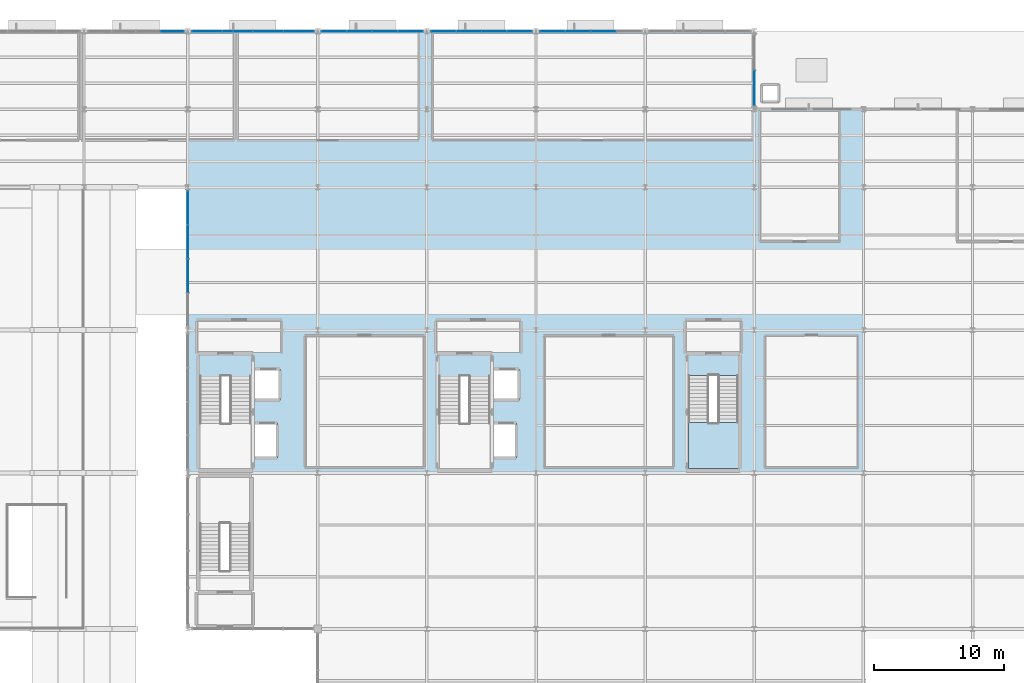
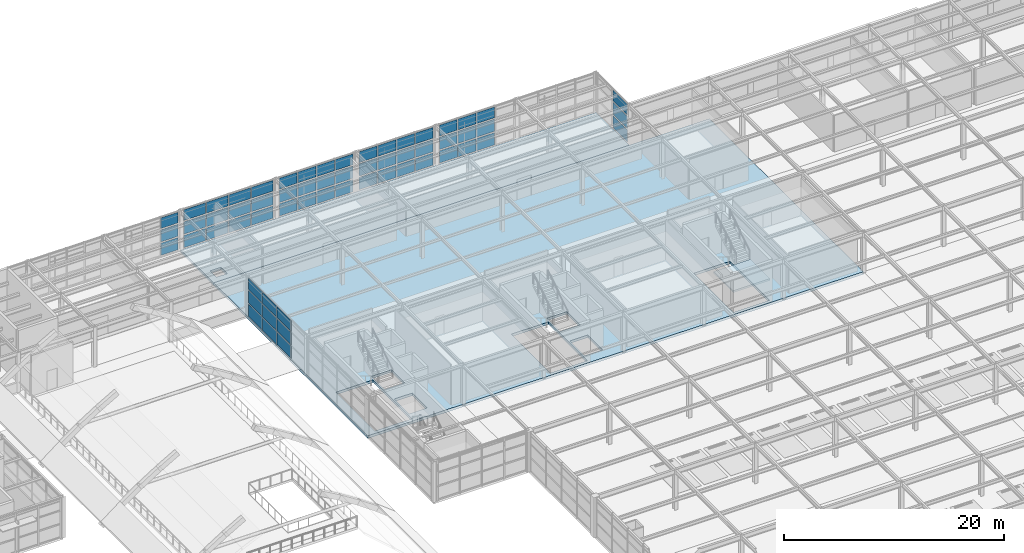
# One storey, part 51 of 82: 60 plates, 3 slabs, 8 elements without a shape of their own.
"""IFC4 building model written with IfcOpenShell, lengths in metres."""

from ifc_helpers import new_model, si_unit, direction, frame, origin, origin_2d, place, context, subcontext, project, spatial, polyline, rectangle, outline, extrude, material, layer, layer_set, type_object, element, aggregate, save


model = new_model("IFC4")

# Units and contexts
model_context = context("Model", 3, precision=1e-05, world=origin(), true_north=direction((0.0, 1.0)))
body_context = subcontext(model_context, "Body", "Model", "MODEL_VIEW")
ifc_project = project(units=[si_unit("LENGTHUNIT", "METRE"), si_unit("AREAUNIT", "SQUARE_METRE"), si_unit("VOLUMEUNIT", "CUBIC_METRE"), si_unit("PLANEANGLEUNIT", "RADIAN"), si_unit("MASSUNIT", "GRAM", prefix="KILO")], contexts=[model_context])

# Site, building, storey
site_placement = place(None, origin())
site = spatial("IfcSite", under=ifc_project, at=site_placement, CompositionType="ELEMENT")
building_placement = place(site_placement, origin())
building = spatial("IfcBuilding", under=site, at=building_placement, Name="Sitalva Quay Ferry Terminal", CompositionType="ELEMENT")
storey_placement = place(building_placement, frame((0.0, 0.0, 5.39990234375)))
storey = spatial("IfcBuildingStorey", under=building, at=storey_placement, Name="L02", CompositionType="ELEMENT", Elevation=5.39990234375)

# Curtain wall, plates
ifc_material_1 = material(Name="Anodised Aluminium & Low-E Glazing", Category="aluminium")
ifc_layer_1 = layer(ifc_material_1, 0.159912109375)
ifc_layer_set_1 = layer_set([ifc_layer_1], Name="Anodised Aluminium & Low-E Glazing")
curtain_wall_type = type_object("IfcCurtainWallType", Name="CW_Office_Unitised", PredefinedType="USERDEFINED", material=ifc_layer_set_1)
curtain_wall_1_placement = place(storey_placement, origin())
curtain_wall_1 = element("IfcCurtainWall", 1, at=curtain_wall_1_placement, inside=storey, type_object=curtain_wall_type, Name="L02 east wing west glazing overlooking V1 (CW-L02-112)", ObjectType="CURTAIN_WALL", PredefinedType="USERDEFINED")
ifc_material_2 = material(Name="Solar-Control Low-E Glazing", Category="glass")
ifc_layer_2 = layer(ifc_material_2, 0.031982421875)
ifc_layer_set_2 = layer_set([ifc_layer_2], Name="Solar-Control Low-E Glazing")
plate_type_1 = type_object("IfcPlateType", Name="Panel_Solar_IGU_32", PredefinedType="CURTAIN_PANEL", material=ifc_layer_set_2)
plate_1_placement = place(storey_placement, frame((74.0, 93.195068359375, 0.150146484375), z_axis=(0.0, 0.0, 1.0), x_axis=(0.0, 1.0, 0.0)))
plate_1 = element("IfcPlate", 2, at=plate_1_placement, type_object=plate_type_1, Name="CW-L02-112-P1-0", PredefinedType="CURTAIN_PANEL", context=body_context, shape_type="SweptSolid", body=[
    extrude(rectangle(XDim=2.534912109375, YDim=0.031982421875, at=origin_2d()), origin(), (0.0, 0.0, 1.0), 1.35009765625),
])
plate_2_placement = place(storey_placement, frame((74.0, 93.195068359375, 1.650146484375), z_axis=(0.0, 0.0, 1.0), x_axis=(0.0, 1.0, 0.0)))
plate_2 = element("IfcPlate", 3, at=plate_2_placement, type_object=plate_type_1, Name="CW-L02-112-P1-1", PredefinedType="CURTAIN_PANEL", context=body_context, shape_type="SweptSolid", body=[
    extrude(rectangle(XDim=2.534912109375, YDim=0.031982421875, at=origin_2d()), origin(), (0.0, 0.0, 1.0), 1.35009765625),
])
plate_3_placement = place(storey_placement, frame((74.0, 93.195068359375, 3.14990234375), z_axis=(0.0, 0.0, 1.0), x_axis=(0.0, 1.0, 0.0)))
plate_3 = element("IfcPlate", 4, at=plate_3_placement, type_object=plate_type_1, Name="CW-L02-112-P1-2", PredefinedType="CURTAIN_PANEL", context=body_context, shape_type="SweptSolid", body=[
    extrude(rectangle(XDim=2.534912109375, YDim=0.031982421875, at=origin_2d()), origin(), (0.0, 0.0, 1.0), 1.199951171875),
])
plate_4_placement = place(storey_placement, frame((74.0, 95.804931640625, 0.150146484375), z_axis=(0.0, 0.0, 1.0), x_axis=(0.0, 1.0, 0.0)))
plate_4 = element("IfcPlate", 5, at=plate_4_placement, type_object=plate_type_1, Name="CW-L02-112-P2-0", PredefinedType="CURTAIN_PANEL", context=body_context, shape_type="SweptSolid", body=[
    extrude(rectangle(XDim=2.534912109375, YDim=0.031982421875, at=origin_2d()), origin(), (0.0, 0.0, 1.0), 1.35009765625),
])
plate_5_placement = place(storey_placement, frame((74.0, 95.804931640625, 1.650146484375), z_axis=(0.0, 0.0, 1.0), x_axis=(0.0, 1.0, 0.0)))
plate_5 = element("IfcPlate", 6, at=plate_5_placement, type_object=plate_type_1, Name="CW-L02-112-P2-1", PredefinedType="CURTAIN_PANEL", context=body_context, shape_type="SweptSolid", body=[
    extrude(rectangle(XDim=2.534912109375, YDim=0.031982421875, at=origin_2d()), origin(), (0.0, 0.0, 1.0), 1.35009765625),
])
plate_6_placement = place(storey_placement, frame((74.0, 95.804931640625, 3.14990234375), z_axis=(0.0, 0.0, 1.0), x_axis=(0.0, 1.0, 0.0)))
plate_6 = element("IfcPlate", 7, at=plate_6_placement, type_object=plate_type_1, Name="CW-L02-112-P2-2", PredefinedType="CURTAIN_PANEL", context=body_context, shape_type="SweptSolid", body=[
    extrude(rectangle(XDim=2.534912109375, YDim=0.031982421875, at=origin_2d()), origin(), (0.0, 0.0, 1.0), 1.199951171875),
])
plate_7_placement = place(storey_placement, frame((74.0, 98.4150390625, 0.150146484375), z_axis=(0.0, 0.0, 1.0), x_axis=(0.0, 1.0, 0.0)))
plate_7 = element("IfcPlate", 8, at=plate_7_placement, type_object=plate_type_1, Name="CW-L02-112-P3-0", PredefinedType="CURTAIN_PANEL", context=body_context, shape_type="SweptSolid", body=[
    extrude(rectangle(XDim=2.534912109375, YDim=0.031982421875, at=origin_2d()), origin(), (0.0, 0.0, 1.0), 1.35009765625),
])
plate_8_placement = place(storey_placement, frame((74.0, 98.4150390625, 1.650146484375), z_axis=(0.0, 0.0, 1.0), x_axis=(0.0, 1.0, 0.0)))
plate_8 = element("IfcPlate", 9, at=plate_8_placement, type_object=plate_type_1, Name="CW-L02-112-P3-1", PredefinedType="CURTAIN_PANEL", context=body_context, shape_type="SweptSolid", body=[
    extrude(rectangle(XDim=2.534912109375, YDim=0.031982421875, at=origin_2d()), origin(), (0.0, 0.0, 1.0), 1.35009765625),
])
plate_9_placement = place(storey_placement, frame((74.0, 98.4150390625, 3.14990234375), z_axis=(0.0, 0.0, 1.0), x_axis=(0.0, 1.0, 0.0)))
plate_9 = element("IfcPlate", 10, at=plate_9_placement, type_object=plate_type_1, Name="CW-L02-112-P3-2", PredefinedType="CURTAIN_PANEL", context=body_context, shape_type="SweptSolid", body=[
    extrude(rectangle(XDim=2.534912109375, YDim=0.031982421875, at=origin_2d()), origin(), (0.0, 0.0, 1.0), 1.199951171875),
])
aggregate(curtain_wall_1, [plate_1, plate_2, plate_3, plate_4, plate_5, plate_6, plate_7, plate_8, plate_9])

curtain_wall_2_placement = place(storey_placement, origin())
curtain_wall_2 = element("IfcCurtainWall", 11, at=curtain_wall_2_placement, inside=storey, type_object=curtain_wall_type, Name="L02 forecourt east return glazing (CW-L02-114)", ObjectType="CURTAIN_WALL", PredefinedType="USERDEFINED")
plate_10_placement = place(storey_placement, frame((117.60009765625, 107.639892578125, 0.150146484375), z_axis=(0.0, 0.0, 1.0), x_axis=(0.0, 1.0, 0.0)))
plate_10 = element("IfcPlate", 12, at=plate_10_placement, type_object=plate_type_1, Name="CW-L02-114-P0-0", PredefinedType="CURTAIN_PANEL", context=body_context, shape_type="SweptSolid", body=[
    extrude(rectangle(XDim=2.64501953125, YDim=0.031982421875, at=origin_2d()), origin(), (0.0, 0.0, 1.0), 1.35009765625),
])
plate_11_placement = place(storey_placement, frame((117.60009765625, 107.639892578125, 1.650146484375), z_axis=(0.0, 0.0, 1.0), x_axis=(0.0, 1.0, 0.0)))
plate_11 = element("IfcPlate", 13, at=plate_11_placement, type_object=plate_type_1, Name="CW-L02-114-P0-1", PredefinedType="CURTAIN_PANEL", context=body_context, shape_type="SweptSolid", body=[
    extrude(rectangle(XDim=2.64501953125, YDim=0.031982421875, at=origin_2d()), origin(), (0.0, 0.0, 1.0), 1.35009765625),
])
plate_12_placement = place(storey_placement, frame((117.60009765625, 107.639892578125, 3.14990234375), z_axis=(0.0, 0.0, 1.0), x_axis=(0.0, 1.0, 0.0)))
plate_12 = element("IfcPlate", 14, at=plate_12_placement, type_object=plate_type_1, Name="CW-L02-114-P0-2", PredefinedType="CURTAIN_PANEL", context=body_context, shape_type="SweptSolid", body=[
    extrude(rectangle(XDim=2.64501953125, YDim=0.031982421875, at=origin_2d()), origin(), (0.0, 0.0, 1.0), 1.199951171875),
])
aggregate(curtain_wall_2, [plate_10, plate_11, plate_12])

curtain_wall_3_placement = place(storey_placement, origin())
curtain_wall_3 = element("IfcCurtainWall", 15, at=curtain_wall_3_placement, inside=storey, type_object=curtain_wall_type, Name="L02 forecourt horizontal curtain wall (CW-L02-118)", ObjectType="CURTAIN_WALL", PredefinedType="USERDEFINED")
plate_13_placement = place(storey_placement, frame((72.7900390625, 112.0, 1.63330078125), z_axis=(0.0, 0.0, 1.0), x_axis=(1.0, 0.0, 0.0)))
plate_13 = element("IfcPlate", 16, at=plate_13_placement, type_object=plate_type_1, Name="CW-L02-118-P3-1", PredefinedType="CURTAIN_PANEL", context=body_context, shape_type="SweptSolid", body=[
    extrude(rectangle(XDim=1.784912109375, YDim=0.031982421875, at=origin_2d()), origin(), (0.0, 0.0, 1.0), 1.333251953125),
])
plate_14_placement = place(storey_placement, frame((72.7900390625, 112.0, 3.11669921875), z_axis=(0.0, 0.0, 1.0), x_axis=(1.0, 0.0, 0.0)))
plate_14 = element("IfcPlate", 17, at=plate_14_placement, type_object=plate_type_1, Name="CW-L02-118-P3-2", PredefinedType="CURTAIN_PANEL", context=body_context, shape_type="SweptSolid", body=[
    extrude(rectangle(XDim=1.784912109375, YDim=0.031982421875, at=origin_2d()), origin(), (0.0, 0.0, 1.0), 1.183349609375),
])

curtain_wall_4_placement = place(storey_placement, origin())
curtain_wall_4 = element("IfcCurtainWall", 18, at=curtain_wall_4_placement, inside=storey, type_object=curtain_wall_type, Name="L02 forecourt horizontal curtain wall (CW-L02-119)", ObjectType="CURTAIN_WALL", PredefinedType="USERDEFINED")
plate_15_placement = place(storey_placement, frame((75.4599609375, 112.0, 1.650146484375), z_axis=(0.0, 0.0, 1.0), x_axis=(1.0, 0.0, 0.0)))
plate_15 = element("IfcPlate", 19, at=plate_15_placement, type_object=plate_type_1, Name="CW-L02-119-P0-1", PredefinedType="CURTAIN_PANEL", context=body_context, shape_type="SweptSolid", body=[
    extrude(rectangle(XDim=2.284912109375, YDim=0.031982421875, at=origin_2d()), origin(), (0.0, 0.0, 1.0), 1.35009765625),
])
plate_16_placement = place(storey_placement, frame((75.4599609375, 112.0, 3.14990234375), z_axis=(0.0, 0.0, 1.0), x_axis=(1.0, 0.0, 0.0)))
plate_16 = element("IfcPlate", 20, at=plate_16_placement, type_object=plate_type_1, Name="CW-L02-119-P0-2", PredefinedType="CURTAIN_PANEL", context=body_context, shape_type="SweptSolid", body=[
    extrude(rectangle(XDim=2.284912109375, YDim=0.031982421875, at=origin_2d()), origin(), (0.0, 0.0, 1.0), 1.199951171875),
])
plate_17_placement = place(storey_placement, frame((77.820068359375, 112.0, 1.650146484375), z_axis=(0.0, 0.0, 1.0), x_axis=(1.0, 0.0, 0.0)))
plate_17 = element("IfcPlate", 21, at=plate_17_placement, type_object=plate_type_1, Name="CW-L02-119-P1-1", PredefinedType="CURTAIN_PANEL", context=body_context, shape_type="SweptSolid", body=[
    extrude(rectangle(XDim=2.284912109375, YDim=0.031982421875, at=origin_2d()), origin(), (0.0, 0.0, 1.0), 1.35009765625),
])
plate_18_placement = place(storey_placement, frame((77.820068359375, 112.0, 3.14990234375), z_axis=(0.0, 0.0, 1.0), x_axis=(1.0, 0.0, 0.0)))
plate_18 = element("IfcPlate", 22, at=plate_18_placement, type_object=plate_type_1, Name="CW-L02-119-P1-2", PredefinedType="CURTAIN_PANEL", context=body_context, shape_type="SweptSolid", body=[
    extrude(rectangle(XDim=2.284912109375, YDim=0.031982421875, at=origin_2d()), origin(), (0.0, 0.0, 1.0), 1.199951171875),
])
plate_19_placement = place(storey_placement, frame((80.179931640625, 112.0, 1.650146484375), z_axis=(0.0, 0.0, 1.0), x_axis=(1.0, 0.0, 0.0)))
plate_19 = element("IfcPlate", 23, at=plate_19_placement, type_object=plate_type_1, Name="CW-L02-119-P2-1", PredefinedType="CURTAIN_PANEL", context=body_context, shape_type="SweptSolid", body=[
    extrude(rectangle(XDim=2.284912109375, YDim=0.031982421875, at=origin_2d()), origin(), (0.0, 0.0, 1.0), 1.35009765625),
])
plate_20_placement = place(storey_placement, frame((80.179931640625, 112.0, 3.14990234375), z_axis=(0.0, 0.0, 1.0), x_axis=(1.0, 0.0, 0.0)))
plate_20 = element("IfcPlate", 24, at=plate_20_placement, type_object=plate_type_1, Name="CW-L02-119-P2-2", PredefinedType="CURTAIN_PANEL", context=body_context, shape_type="SweptSolid", body=[
    extrude(rectangle(XDim=2.284912109375, YDim=0.031982421875, at=origin_2d()), origin(), (0.0, 0.0, 1.0), 1.199951171875),
])
plate_21_placement = place(storey_placement, frame((82.5400390625, 112.0, 1.650146484375), z_axis=(0.0, 0.0, 1.0), x_axis=(1.0, 0.0, 0.0)))
plate_21 = element("IfcPlate", 25, at=plate_21_placement, type_object=plate_type_1, Name="CW-L02-119-P3-1", PredefinedType="CURTAIN_PANEL", context=body_context, shape_type="SweptSolid", body=[
    extrude(rectangle(XDim=2.284912109375, YDim=0.031982421875, at=origin_2d()), origin(), (0.0, 0.0, 1.0), 1.35009765625),
])
plate_22_placement = place(storey_placement, frame((82.5400390625, 112.0, 3.14990234375), z_axis=(0.0, 0.0, 1.0), x_axis=(1.0, 0.0, 0.0)))
plate_22 = element("IfcPlate", 26, at=plate_22_placement, type_object=plate_type_1, Name="CW-L02-119-P3-2", PredefinedType="CURTAIN_PANEL", context=body_context, shape_type="SweptSolid", body=[
    extrude(rectangle(XDim=2.284912109375, YDim=0.031982421875, at=origin_2d()), origin(), (0.0, 0.0, 1.0), 1.199951171875),
])

curtain_wall_5_placement = place(storey_placement, origin())
curtain_wall_5 = element("IfcCurtainWall", 27, at=curtain_wall_5_placement, inside=storey, type_object=curtain_wall_type, Name="L02 forecourt horizontal curtain wall (CW-L02-120)", ObjectType="CURTAIN_WALL", PredefinedType="USERDEFINED")
plate_23_placement = place(storey_placement, frame((85.260009765625, 112.0, 1.650146484375), z_axis=(0.0, 0.0, 1.0), x_axis=(1.0, 0.0, 0.0)))
plate_23 = element("IfcPlate", 28, at=plate_23_placement, type_object=plate_type_1, Name="CW-L02-120-P0-1", PredefinedType="CURTAIN_PANEL", context=body_context, shape_type="SweptSolid", body=[
    extrude(rectangle(XDim=1.885009765625, YDim=0.031982421875, at=origin_2d()), origin(), (0.0, 0.0, 1.0), 1.35009765625),
])
plate_24_placement = place(storey_placement, frame((85.260009765625, 112.0, 3.14990234375), z_axis=(0.0, 0.0, 1.0), x_axis=(1.0, 0.0, 0.0)))
plate_24 = element("IfcPlate", 29, at=plate_24_placement, type_object=plate_type_1, Name="CW-L02-120-P0-2", PredefinedType="CURTAIN_PANEL", context=body_context, shape_type="SweptSolid", body=[
    extrude(rectangle(XDim=1.885009765625, YDim=0.031982421875, at=origin_2d()), origin(), (0.0, 0.0, 1.0), 1.199951171875),
])
plate_25_placement = place(storey_placement, frame((87.219970703125, 112.0, 1.650146484375), z_axis=(0.0, 0.0, 1.0), x_axis=(1.0, 0.0, 0.0)))
plate_25 = element("IfcPlate", 30, at=plate_25_placement, type_object=plate_type_1, Name="CW-L02-120-P1-1", PredefinedType="CURTAIN_PANEL", context=body_context, shape_type="SweptSolid", body=[
    extrude(rectangle(XDim=1.885009765625, YDim=0.031982421875, at=origin_2d()), origin(), (0.0, 0.0, 1.0), 1.35009765625),
])
plate_26_placement = place(storey_placement, frame((87.219970703125, 112.0, 3.14990234375), z_axis=(0.0, 0.0, 1.0), x_axis=(1.0, 0.0, 0.0)))
plate_26 = element("IfcPlate", 31, at=plate_26_placement, type_object=plate_type_1, Name="CW-L02-120-P1-2", PredefinedType="CURTAIN_PANEL", context=body_context, shape_type="SweptSolid", body=[
    extrude(rectangle(XDim=1.885009765625, YDim=0.031982421875, at=origin_2d()), origin(), (0.0, 0.0, 1.0), 1.199951171875),
])
plate_27_placement = place(storey_placement, frame((89.179931640625, 112.0, 1.650146484375), z_axis=(0.0, 0.0, 1.0), x_axis=(1.0, 0.0, 0.0)))
plate_27 = element("IfcPlate", 32, at=plate_27_placement, type_object=plate_type_1, Name="CW-L02-120-P2-1", PredefinedType="CURTAIN_PANEL", context=body_context, shape_type="SweptSolid", body=[
    extrude(rectangle(XDim=1.885009765625, YDim=0.031982421875, at=origin_2d()), origin(), (0.0, 0.0, 1.0), 1.35009765625),
])
plate_28_placement = place(storey_placement, frame((89.179931640625, 112.0, 3.14990234375), z_axis=(0.0, 0.0, 1.0), x_axis=(1.0, 0.0, 0.0)))
plate_28 = element("IfcPlate", 33, at=plate_28_placement, type_object=plate_type_1, Name="CW-L02-120-P2-2", PredefinedType="CURTAIN_PANEL", context=body_context, shape_type="SweptSolid", body=[
    extrude(rectangle(XDim=1.885009765625, YDim=0.031982421875, at=origin_2d()), origin(), (0.0, 0.0, 1.0), 1.199951171875),
])
plate_29_placement = place(storey_placement, frame((91.139892578125, 112.0, 1.650146484375), z_axis=(0.0, 0.0, 1.0), x_axis=(1.0, 0.0, 0.0)))
plate_29 = element("IfcPlate", 34, at=plate_29_placement, type_object=plate_type_1, Name="CW-L02-120-P3-1", PredefinedType="CURTAIN_PANEL", context=body_context, shape_type="SweptSolid", body=[
    extrude(rectangle(XDim=1.885009765625, YDim=0.031982421875, at=origin_2d()), origin(), (0.0, 0.0, 1.0), 1.35009765625),
])
plate_30_placement = place(storey_placement, frame((91.139892578125, 112.0, 3.14990234375), z_axis=(0.0, 0.0, 1.0), x_axis=(1.0, 0.0, 0.0)))
plate_30 = element("IfcPlate", 35, at=plate_30_placement, type_object=plate_type_1, Name="CW-L02-120-P3-2", PredefinedType="CURTAIN_PANEL", context=body_context, shape_type="SweptSolid", body=[
    extrude(rectangle(XDim=1.885009765625, YDim=0.031982421875, at=origin_2d()), origin(), (0.0, 0.0, 1.0), 1.199951171875),
])

curtain_wall_6_placement = place(storey_placement, origin())
curtain_wall_6 = element("IfcCurtainWall", 36, at=curtain_wall_6_placement, inside=storey, type_object=curtain_wall_type, Name="L02 forecourt horizontal curtain wall (CW-L02-121)", ObjectType="CURTAIN_WALL", PredefinedType="USERDEFINED")
plate_31_placement = place(storey_placement, frame((93.659912109375, 112.0, 1.650146484375), z_axis=(0.0, 0.0, 1.0), x_axis=(1.0, 0.0, 0.0)))
plate_31 = element("IfcPlate", 37, at=plate_31_placement, type_object=plate_type_1, Name="CW-L02-121-P0-1", PredefinedType="CURTAIN_PANEL", context=body_context, shape_type="SweptSolid", body=[
    extrude(rectangle(XDim=1.885009765625, YDim=0.031982421875, at=origin_2d()), origin(), (0.0, 0.0, 1.0), 1.35009765625),
])
plate_32_placement = place(storey_placement, frame((93.659912109375, 112.0, 3.14990234375), z_axis=(0.0, 0.0, 1.0), x_axis=(1.0, 0.0, 0.0)))
plate_32 = element("IfcPlate", 38, at=plate_32_placement, type_object=plate_type_1, Name="CW-L02-121-P0-2", PredefinedType="CURTAIN_PANEL", context=body_context, shape_type="SweptSolid", body=[
    extrude(rectangle(XDim=1.885009765625, YDim=0.031982421875, at=origin_2d()), origin(), (0.0, 0.0, 1.0), 1.199951171875),
])
plate_33_placement = place(storey_placement, frame((95.6201171875, 112.0, 1.650146484375), z_axis=(0.0, 0.0, 1.0), x_axis=(1.0, 0.0, 0.0)))
plate_33 = element("IfcPlate", 39, at=plate_33_placement, type_object=plate_type_1, Name="CW-L02-121-P1-1", PredefinedType="CURTAIN_PANEL", context=body_context, shape_type="SweptSolid", body=[
    extrude(rectangle(XDim=1.885009765625, YDim=0.031982421875, at=origin_2d()), origin(), (0.0, 0.0, 1.0), 1.35009765625),
])
plate_34_placement = place(storey_placement, frame((95.6201171875, 112.0, 3.14990234375), z_axis=(0.0, 0.0, 1.0), x_axis=(1.0, 0.0, 0.0)))
plate_34 = element("IfcPlate", 40, at=plate_34_placement, type_object=plate_type_1, Name="CW-L02-121-P1-2", PredefinedType="CURTAIN_PANEL", context=body_context, shape_type="SweptSolid", body=[
    extrude(rectangle(XDim=1.885009765625, YDim=0.031982421875, at=origin_2d()), origin(), (0.0, 0.0, 1.0), 1.199951171875),
])
plate_35_placement = place(storey_placement, frame((97.580078125, 112.0, 1.650146484375), z_axis=(0.0, 0.0, 1.0), x_axis=(1.0, 0.0, 0.0)))
plate_35 = element("IfcPlate", 41, at=plate_35_placement, type_object=plate_type_1, Name="CW-L02-121-P2-1", PredefinedType="CURTAIN_PANEL", context=body_context, shape_type="SweptSolid", body=[
    extrude(rectangle(XDim=1.885009765625, YDim=0.031982421875, at=origin_2d()), origin(), (0.0, 0.0, 1.0), 1.35009765625),
])
plate_36_placement = place(storey_placement, frame((97.580078125, 112.0, 3.14990234375), z_axis=(0.0, 0.0, 1.0), x_axis=(1.0, 0.0, 0.0)))
plate_36 = element("IfcPlate", 42, at=plate_36_placement, type_object=plate_type_1, Name="CW-L02-121-P2-2", PredefinedType="CURTAIN_PANEL", context=body_context, shape_type="SweptSolid", body=[
    extrude(rectangle(XDim=1.885009765625, YDim=0.031982421875, at=origin_2d()), origin(), (0.0, 0.0, 1.0), 1.199951171875),
])
plate_37_placement = place(storey_placement, frame((99.5400390625, 112.0, 1.650146484375), z_axis=(0.0, 0.0, 1.0), x_axis=(1.0, 0.0, 0.0)))
plate_37 = element("IfcPlate", 43, at=plate_37_placement, type_object=plate_type_1, Name="CW-L02-121-P3-1", PredefinedType="CURTAIN_PANEL", context=body_context, shape_type="SweptSolid", body=[
    extrude(rectangle(XDim=1.885009765625, YDim=0.031982421875, at=origin_2d()), origin(), (0.0, 0.0, 1.0), 1.35009765625),
])
plate_38_placement = place(storey_placement, frame((99.5400390625, 112.0, 3.14990234375), z_axis=(0.0, 0.0, 1.0), x_axis=(1.0, 0.0, 0.0)))
plate_38 = element("IfcPlate", 44, at=plate_38_placement, type_object=plate_type_1, Name="CW-L02-121-P3-2", PredefinedType="CURTAIN_PANEL", context=body_context, shape_type="SweptSolid", body=[
    extrude(rectangle(XDim=1.885009765625, YDim=0.031982421875, at=origin_2d()), origin(), (0.0, 0.0, 1.0), 1.199951171875),
])

curtain_wall_7_placement = place(storey_placement, origin())
curtain_wall_7 = element("IfcCurtainWall", 45, at=curtain_wall_7_placement, inside=storey, type_object=curtain_wall_type, Name="L02 forecourt horizontal curtain wall (CW-L02-122)", ObjectType="CURTAIN_WALL", PredefinedType="USERDEFINED")
plate_39_placement = place(storey_placement, frame((102.06005859375, 112.0, 1.650146484375), z_axis=(0.0, 0.0, 1.0), x_axis=(1.0, 0.0, 0.0)))
plate_39 = element("IfcPlate", 46, at=plate_39_placement, type_object=plate_type_1, Name="CW-L02-122-P0-1", PredefinedType="CURTAIN_PANEL", context=body_context, shape_type="SweptSolid", body=[
    extrude(rectangle(XDim=1.885009765625, YDim=0.031982421875, at=origin_2d()), origin(), (0.0, 0.0, 1.0), 1.35009765625),
])
plate_40_placement = place(storey_placement, frame((102.06005859375, 112.0, 3.14990234375), z_axis=(0.0, 0.0, 1.0), x_axis=(1.0, 0.0, 0.0)))
plate_40 = element("IfcPlate", 47, at=plate_40_placement, type_object=plate_type_1, Name="CW-L02-122-P0-2", PredefinedType="CURTAIN_PANEL", context=body_context, shape_type="SweptSolid", body=[
    extrude(rectangle(XDim=1.885009765625, YDim=0.031982421875, at=origin_2d()), origin(), (0.0, 0.0, 1.0), 1.199951171875),
])
plate_41_placement = place(storey_placement, frame((104.02001953125, 112.0, 1.650146484375), z_axis=(0.0, 0.0, 1.0), x_axis=(1.0, 0.0, 0.0)))
plate_41 = element("IfcPlate", 48, at=plate_41_placement, type_object=plate_type_1, Name="CW-L02-122-P1-1", PredefinedType="CURTAIN_PANEL", context=body_context, shape_type="SweptSolid", body=[
    extrude(rectangle(XDim=1.885009765625, YDim=0.031982421875, at=origin_2d()), origin(), (0.0, 0.0, 1.0), 1.35009765625),
])
plate_42_placement = place(storey_placement, frame((104.02001953125, 112.0, 3.14990234375), z_axis=(0.0, 0.0, 1.0), x_axis=(1.0, 0.0, 0.0)))
plate_42 = element("IfcPlate", 49, at=plate_42_placement, type_object=plate_type_1, Name="CW-L02-122-P1-2", PredefinedType="CURTAIN_PANEL", context=body_context, shape_type="SweptSolid", body=[
    extrude(rectangle(XDim=1.885009765625, YDim=0.031982421875, at=origin_2d()), origin(), (0.0, 0.0, 1.0), 1.199951171875),
])
plate_43_placement = place(storey_placement, frame((105.97998046875, 112.0, 1.650146484375), z_axis=(0.0, 0.0, 1.0), x_axis=(1.0, 0.0, 0.0)))
plate_43 = element("IfcPlate", 50, at=plate_43_placement, type_object=plate_type_1, Name="CW-L02-122-P2-1", PredefinedType="CURTAIN_PANEL", context=body_context, shape_type="SweptSolid", body=[
    extrude(rectangle(XDim=1.885009765625, YDim=0.031982421875, at=origin_2d()), origin(), (0.0, 0.0, 1.0), 1.35009765625),
])
plate_44_placement = place(storey_placement, frame((105.97998046875, 112.0, 3.14990234375), z_axis=(0.0, 0.0, 1.0), x_axis=(1.0, 0.0, 0.0)))
plate_44 = element("IfcPlate", 51, at=plate_44_placement, type_object=plate_type_1, Name="CW-L02-122-P2-2", PredefinedType="CURTAIN_PANEL", context=body_context, shape_type="SweptSolid", body=[
    extrude(rectangle(XDim=1.885009765625, YDim=0.031982421875, at=origin_2d()), origin(), (0.0, 0.0, 1.0), 1.199951171875),
])

# Plate
ifc_material_3 = material(Name="Insulated Spandrel Cassette", Category="aluminium")
ifc_layer_3 = layer(ifc_material_3, 0.0400390625)
ifc_layer_set_3 = layer_set([ifc_layer_3], Name="Insulated Spandrel Cassette")
plate_type_2 = type_object("IfcPlateType", Name="Panel_Spandrel_Alu_40", PredefinedType="CURTAIN_PANEL", material=ifc_layer_set_3)
plate_45_placement = place(storey_placement, frame((72.7900390625, 112.0, 0.14990234375), z_axis=(0.0, 0.0, 1.0), x_axis=(1.0, 0.0, 0.0)))
plate_45 = element("IfcPlate", 52, at=plate_45_placement, type_object=plate_type_2, Name="CW-L02-118-P3-0", PredefinedType="CURTAIN_PANEL", context=body_context, shape_type="SweptSolid", body=[
    extrude(rectangle(XDim=1.784912109375, YDim=0.0400390625, at=origin_2d()), origin(), (0.0, 0.0, 1.0), 1.333251953125),
])

aggregate(curtain_wall_3, [plate_45, plate_13, plate_14])

plate_46_placement = place(storey_placement, frame((75.4599609375, 112.0, 0.150146484375), z_axis=(0.0, 0.0, 1.0), x_axis=(1.0, 0.0, 0.0)))
plate_46 = element("IfcPlate", 53, at=plate_46_placement, type_object=plate_type_2, Name="CW-L02-119-P0-0", PredefinedType="CURTAIN_PANEL", context=body_context, shape_type="SweptSolid", body=[
    extrude(rectangle(XDim=2.284912109375, YDim=0.0400390625, at=origin_2d()), origin(), (0.0, 0.0, 1.0), 1.35009765625),
])

plate_47_placement = place(storey_placement, frame((77.820068359375, 112.0, 0.150146484375), z_axis=(0.0, 0.0, 1.0), x_axis=(1.0, 0.0, 0.0)))
plate_47 = element("IfcPlate", 54, at=plate_47_placement, type_object=plate_type_2, Name="CW-L02-119-P1-0", PredefinedType="CURTAIN_PANEL", context=body_context, shape_type="SweptSolid", body=[
    extrude(rectangle(XDim=2.284912109375, YDim=0.0400390625, at=origin_2d()), origin(), (0.0, 0.0, 1.0), 1.35009765625),
])

plate_48_placement = place(storey_placement, frame((80.179931640625, 112.0, 0.150146484375), z_axis=(0.0, 0.0, 1.0), x_axis=(1.0, 0.0, 0.0)))
plate_48 = element("IfcPlate", 55, at=plate_48_placement, type_object=plate_type_2, Name="CW-L02-119-P2-0", PredefinedType="CURTAIN_PANEL", context=body_context, shape_type="SweptSolid", body=[
    extrude(rectangle(XDim=2.284912109375, YDim=0.0400390625, at=origin_2d()), origin(), (0.0, 0.0, 1.0), 1.35009765625),
])

plate_49_placement = place(storey_placement, frame((82.5400390625, 112.0, 0.150146484375), z_axis=(0.0, 0.0, 1.0), x_axis=(1.0, 0.0, 0.0)))
plate_49 = element("IfcPlate", 56, at=plate_49_placement, type_object=plate_type_2, Name="CW-L02-119-P3-0", PredefinedType="CURTAIN_PANEL", context=body_context, shape_type="SweptSolid", body=[
    extrude(rectangle(XDim=2.284912109375, YDim=0.0400390625, at=origin_2d()), origin(), (0.0, 0.0, 1.0), 1.35009765625),
])

aggregate(curtain_wall_4, [plate_46, plate_15, plate_16, plate_47, plate_17, plate_18, plate_48, plate_19, plate_20, plate_49, plate_21, plate_22])

plate_50_placement = place(storey_placement, frame((85.260009765625, 112.0, 0.150146484375), z_axis=(0.0, 0.0, 1.0), x_axis=(1.0, 0.0, 0.0)))
plate_50 = element("IfcPlate", 57, at=plate_50_placement, type_object=plate_type_2, Name="CW-L02-120-P0-0", PredefinedType="CURTAIN_PANEL", context=body_context, shape_type="SweptSolid", body=[
    extrude(rectangle(XDim=1.885009765625, YDim=0.0400390625, at=origin_2d()), origin(), (0.0, 0.0, 1.0), 1.35009765625),
])

plate_51_placement = place(storey_placement, frame((87.219970703125, 112.0, 0.150146484375), z_axis=(0.0, 0.0, 1.0), x_axis=(1.0, 0.0, 0.0)))
plate_51 = element("IfcPlate", 58, at=plate_51_placement, type_object=plate_type_2, Name="CW-L02-120-P1-0", PredefinedType="CURTAIN_PANEL", context=body_context, shape_type="SweptSolid", body=[
    extrude(rectangle(XDim=1.885009765625, YDim=0.0400390625, at=origin_2d()), origin(), (0.0, 0.0, 1.0), 1.35009765625),
])

plate_52_placement = place(storey_placement, frame((89.179931640625, 112.0, 0.150146484375), z_axis=(0.0, 0.0, 1.0), x_axis=(1.0, 0.0, 0.0)))
plate_52 = element("IfcPlate", 59, at=plate_52_placement, type_object=plate_type_2, Name="CW-L02-120-P2-0", PredefinedType="CURTAIN_PANEL", context=body_context, shape_type="SweptSolid", body=[
    extrude(rectangle(XDim=1.885009765625, YDim=0.0400390625, at=origin_2d()), origin(), (0.0, 0.0, 1.0), 1.35009765625),
])

plate_53_placement = place(storey_placement, frame((91.139892578125, 112.0, 0.150146484375), z_axis=(0.0, 0.0, 1.0), x_axis=(1.0, 0.0, 0.0)))
plate_53 = element("IfcPlate", 60, at=plate_53_placement, type_object=plate_type_2, Name="CW-L02-120-P3-0", PredefinedType="CURTAIN_PANEL", context=body_context, shape_type="SweptSolid", body=[
    extrude(rectangle(XDim=1.885009765625, YDim=0.0400390625, at=origin_2d()), origin(), (0.0, 0.0, 1.0), 1.35009765625),
])

aggregate(curtain_wall_5, [plate_50, plate_23, plate_24, plate_51, plate_25, plate_26, plate_52, plate_27, plate_28, plate_53, plate_29, plate_30])

plate_54_placement = place(storey_placement, frame((93.659912109375, 112.0, 0.150146484375), z_axis=(0.0, 0.0, 1.0), x_axis=(1.0, 0.0, 0.0)))
plate_54 = element("IfcPlate", 61, at=plate_54_placement, type_object=plate_type_2, Name="CW-L02-121-P0-0", PredefinedType="CURTAIN_PANEL", context=body_context, shape_type="SweptSolid", body=[
    extrude(rectangle(XDim=1.885009765625, YDim=0.0400390625, at=origin_2d()), origin(), (0.0, 0.0, 1.0), 1.35009765625),
])

plate_55_placement = place(storey_placement, frame((95.6201171875, 112.0, 0.150146484375), z_axis=(0.0, 0.0, 1.0), x_axis=(1.0, 0.0, 0.0)))
plate_55 = element("IfcPlate", 62, at=plate_55_placement, type_object=plate_type_2, Name="CW-L02-121-P1-0", PredefinedType="CURTAIN_PANEL", context=body_context, shape_type="SweptSolid", body=[
    extrude(rectangle(XDim=1.885009765625, YDim=0.0400390625, at=origin_2d()), origin(), (0.0, 0.0, 1.0), 1.35009765625),
])

plate_56_placement = place(storey_placement, frame((97.580078125, 112.0, 0.150146484375), z_axis=(0.0, 0.0, 1.0), x_axis=(1.0, 0.0, 0.0)))
plate_56 = element("IfcPlate", 63, at=plate_56_placement, type_object=plate_type_2, Name="CW-L02-121-P2-0", PredefinedType="CURTAIN_PANEL", context=body_context, shape_type="SweptSolid", body=[
    extrude(rectangle(XDim=1.885009765625, YDim=0.0400390625, at=origin_2d()), origin(), (0.0, 0.0, 1.0), 1.35009765625),
])

plate_57_placement = place(storey_placement, frame((99.5400390625, 112.0, 0.150146484375), z_axis=(0.0, 0.0, 1.0), x_axis=(1.0, 0.0, 0.0)))
plate_57 = element("IfcPlate", 64, at=plate_57_placement, type_object=plate_type_2, Name="CW-L02-121-P3-0", PredefinedType="CURTAIN_PANEL", context=body_context, shape_type="SweptSolid", body=[
    extrude(rectangle(XDim=1.885009765625, YDim=0.0400390625, at=origin_2d()), origin(), (0.0, 0.0, 1.0), 1.35009765625),
])

aggregate(curtain_wall_6, [plate_54, plate_31, plate_32, plate_55, plate_33, plate_34, plate_56, plate_35, plate_36, plate_57, plate_37, plate_38])

plate_58_placement = place(storey_placement, frame((102.06005859375, 112.0, 0.150146484375), z_axis=(0.0, 0.0, 1.0), x_axis=(1.0, 0.0, 0.0)))
plate_58 = element("IfcPlate", 65, at=plate_58_placement, type_object=plate_type_2, Name="CW-L02-122-P0-0", PredefinedType="CURTAIN_PANEL", context=body_context, shape_type="SweptSolid", body=[
    extrude(rectangle(XDim=1.885009765625, YDim=0.0400390625, at=origin_2d()), origin(), (0.0, 0.0, 1.0), 1.35009765625),
])

plate_59_placement = place(storey_placement, frame((104.02001953125, 112.0, 0.150146484375), z_axis=(0.0, 0.0, 1.0), x_axis=(1.0, 0.0, 0.0)))
plate_59 = element("IfcPlate", 66, at=plate_59_placement, type_object=plate_type_2, Name="CW-L02-122-P1-0", PredefinedType="CURTAIN_PANEL", context=body_context, shape_type="SweptSolid", body=[
    extrude(rectangle(XDim=1.885009765625, YDim=0.0400390625, at=origin_2d()), origin(), (0.0, 0.0, 1.0), 1.35009765625),
])

plate_60_placement = place(storey_placement, frame((105.97998046875, 112.0, 0.150146484375), z_axis=(0.0, 0.0, 1.0), x_axis=(1.0, 0.0, 0.0)))
plate_60 = element("IfcPlate", 67, at=plate_60_placement, type_object=plate_type_2, Name="CW-L02-122-P2-0", PredefinedType="CURTAIN_PANEL", context=body_context, shape_type="SweptSolid", body=[
    extrude(rectangle(XDim=1.885009765625, YDim=0.0400390625, at=origin_2d()), origin(), (0.0, 0.0, 1.0), 1.35009765625),
])

aggregate(curtain_wall_7, [plate_58, plate_39, plate_40, plate_59, plate_41, plate_42, plate_60, plate_43, plate_44])

# Slabs
ifc_material_4 = material(Name="Concrete C35/45", Category="concrete")
ifc_layer_4 = layer(ifc_material_4, 0.280029296875)
ifc_layer_set_4 = layer_set([ifc_layer_4], Name="Concrete C35/45")
slab_type_1 = type_object("IfcSlabType", Name="Slab_Concourse_280", PredefinedType="FLOOR", material=ifc_layer_set_4)
slab_1_placement = place(storey_placement, frame((0.0, 0.0, -0.27978515625)))
element("IfcSlab", 68, at=slab_1_placement, inside=storey, type_object=slab_type_1, Name="L02 North wing L02 central-east 046", PredefinedType="FLOOR", context=body_context, shape_type="SweptSolid", body=[
    extrude(outline(polyline([(74.0, 78.0), (126.0, 78.0), (126.0, 106.0), (74.0, 106.0), (74.0, 78.0)]), holes=[polyline([(74.949951171875, 78.35009765625), (74.949951171875, 85.429931640625), (78.85009765625, 85.429931640625), (78.85009765625, 78.35009765625), (74.949951171875, 78.35009765625)]), polyline([(79.0, 79.14990234375), (79.0, 81.85009765625), (80.89990234375, 81.85009765625), (80.89990234375, 79.14990234375), (79.0, 79.14990234375)]), polyline([(79.0, 83.60009765625), (79.0, 86.0), (81.10009765625, 86.0), (81.10009765625, 83.60009765625), (79.0, 83.60009765625)]), polyline([(93.35009765625, 78.35009765625), (93.35009765625, 85.429931640625), (97.25, 85.429931640625), (97.25, 78.35009765625), (93.35009765625, 78.35009765625)]), polyline([(97.39990234375, 79.14990234375), (97.39990234375, 81.85009765625), (99.300048828125, 81.85009765625), (99.300048828125, 79.14990234375), (97.39990234375, 79.14990234375)]), polyline([(97.39990234375, 83.60009765625), (97.39990234375, 86.0), (99.5, 86.0), (99.5, 83.60009765625), (97.39990234375, 83.60009765625)]), polyline([(112.550048828125, 78.35009765625), (112.550048828125, 85.489990234375), (116.35009765625, 85.489990234375), (116.35009765625, 78.35009765625), (112.550048828125, 78.35009765625)])]), origin(), (0.0, 0.0, 1.0), 0.27978515625),
])
slab_2_placement = place(storey_placement, frame((0.0, 0.0, -0.27978515625)))
element("IfcSlab", 69, at=slab_2_placement, inside=storey, type_object=slab_type_1, Name="L02 North wing L02 east forecourt bar 049", PredefinedType="FLOOR", context=body_context, shape_type="SweptSolid", body=[
    extrude(outline(polyline([(74.0, 106.0), (117.60009765625, 106.0), (117.60009765625, 112.0), (74.0, 112.0), (74.0, 106.0)]), holes=[polyline([(74.64990234375, 106.64990234375), (74.64990234375, 107.800048828125), (75.800048828125, 107.800048828125), (75.800048828125, 106.64990234375), (74.64990234375, 106.64990234375)])]), origin(), (0.0, 0.0, 1.0), 0.27978515625),
])

# Stair, slab
ifc_material_5 = material(Name="Concrete C35/45", Category="concrete")
stair_type = type_object("IfcStairType", Name="Stair_CoreDogLeg_1400", PredefinedType="HALF_TURN_STAIR", material=ifc_material_5)
stair_placement = place(storey_placement, origin())
stair = element("IfcStair", 70, at=stair_placement, inside=storey, type_object=stair_type, Name="L02 Core C4 stair ST-04", PredefinedType="HALF_TURN_STAIR")
ifc_material_6 = material(Name="Concrete C35/45", Category="concrete")
ifc_layer_5 = layer(ifc_material_6, 0.199951171875)
ifc_layer_set_5 = layer_set([ifc_layer_5], Name="Concrete C35/45")
slab_type_2 = type_object("IfcSlabType", Name="Slab_StairLanding_200", PredefinedType="LANDING", material=ifc_layer_set_5)
slab_3_placement = place(storey_placement, frame((0.0, 0.0, 2.2001953125)))
slab_3 = element("IfcSlab", 71, at=slab_3_placement, type_object=slab_type_2, Name="ST-04 landing 1", PredefinedType="LANDING", context=body_context, shape_type="SweptSolid", body=[
    extrude(outline(polyline([(112.530029296875, 81.8701171875), (112.530029296875, 78.330078125), (116.3701171875, 78.330078125), (116.3701171875, 81.8701171875), (112.530029296875, 81.8701171875)])), origin(), (0.0, 0.0, 1.0), 0.199951171875),
])
aggregate(stair, [slab_3])

save(model, "model.ifc")
